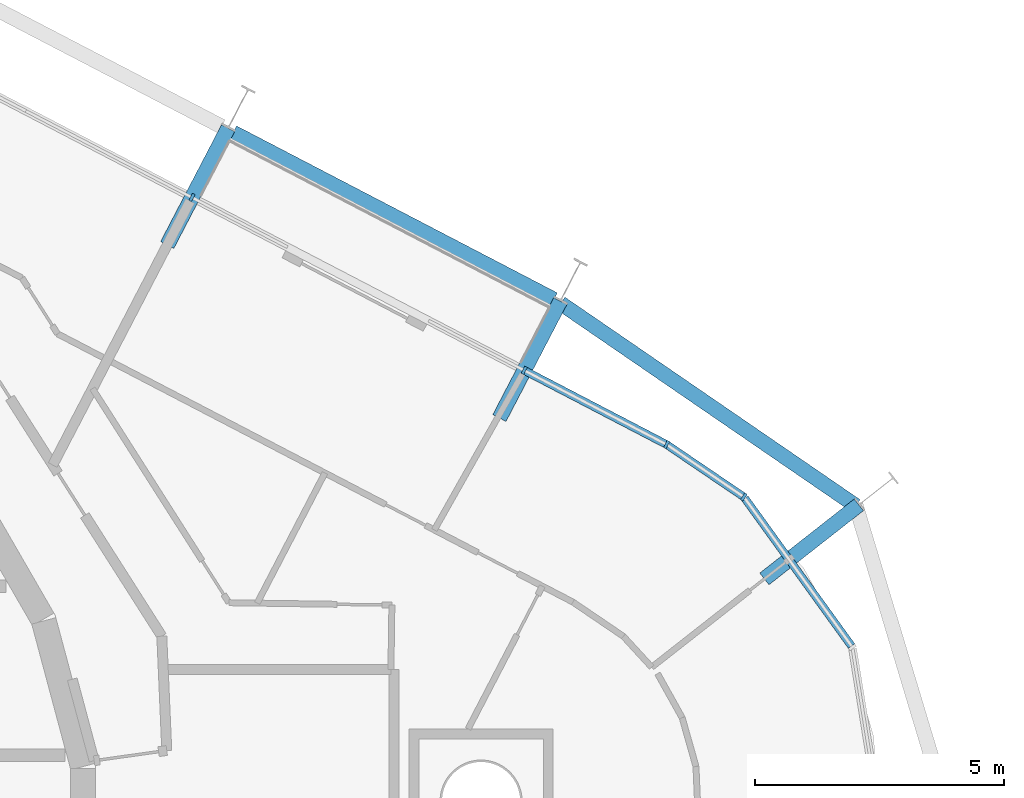
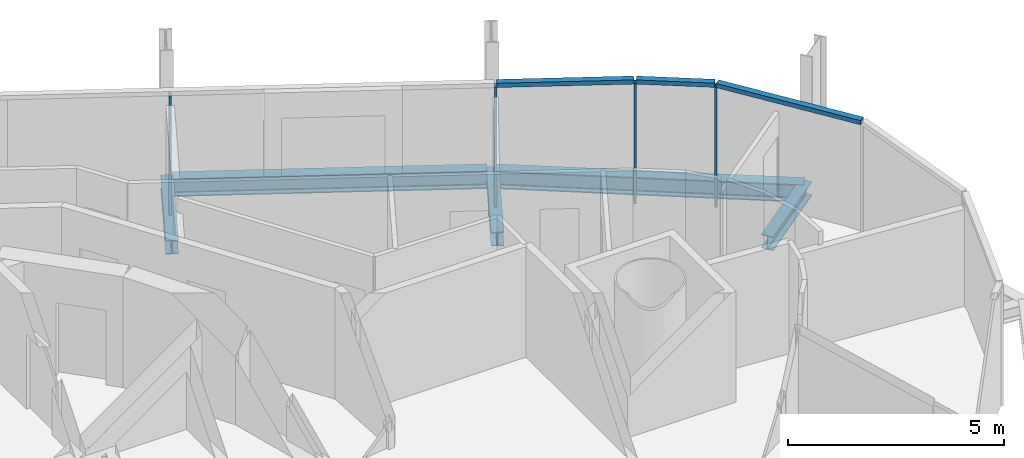
# One storey, part 9 of 17: 7 members, 5 beams, 2 elements without a shape of their own.
"""IFC4 building model written with IfcOpenShell, lengths in metres."""

from ifc_helpers import new_model, si_unit, direction, frame, origin, origin_2d, place, context, subcontext, project, spatial, rectangle, i_section, extrude, material, layer, layer_set, material_profile, profile_set, type_object, element, aggregate, save


model = new_model("IFC4")

# Units and contexts
model_context = context("Model", 3, precision=1e-05, world=origin(), true_north=direction((0.0, 1.0)))
body_context = subcontext(model_context, "Body", "Model", "MODEL_VIEW")
ifc_project = project(units=[si_unit("LENGTHUNIT", "METRE"), si_unit("AREAUNIT", "SQUARE_METRE"), si_unit("VOLUMEUNIT", "CUBIC_METRE"), si_unit("PLANEANGLEUNIT", "RADIAN"), si_unit("MASSUNIT", "GRAM", prefix="KILO")], contexts=[model_context])

# Site, building, storey
site_placement = place(None, origin())
site = spatial("IfcSite", under=ifc_project, at=site_placement, CompositionType="ELEMENT")
building_placement = place(site_placement, origin())
building = spatial("IfcBuilding", under=site, at=building_placement, Name="Spindle Arch Residences", CompositionType="ELEMENT")
storey_placement = place(building_placement, frame((0.0, 0.0, 244.199951171875)))
storey = spatial("IfcBuildingStorey", under=building, at=storey_placement, Name="L62", CompositionType="ELEMENT", Elevation=244.199951171875)

# Curtain wall, members
ifc_material_1 = material(Name="Aluminium bronze unitised frame with tinted glass", Category="aluminium")
ifc_layer_1 = layer(ifc_material_1, 0.159912109375)
ifc_layer_set_1 = layer_set([ifc_layer_1], Name="CW-D corner wall on the fillet arcs")
curtain_wall_type_1 = type_object("IfcCurtainWallType", Name="CW-D corner wall on the fillet arcs", PredefinedType="NOTDEFINED", material=ifc_layer_set_1)
curtain_wall_1_placement = place(storey_placement, origin())
curtain_wall_1 = element("IfcCurtainWall", 1, at=curtain_wall_1_placement, inside=storey, type_object=curtain_wall_type_1, Name="CW-D L62 run 1", PredefinedType="NOTDEFINED")
ifc_material_2 = material(Name="Aluminium bronze anodised mullion", Category="aluminium")
ifc_material_profile_1 = material_profile(ifc_material_2, rectangle(XDim=0.159912109375, YDim=0.06005859375, at=origin_2d()), Name="MU 60x160")
ifc_profile_set_1 = profile_set([ifc_material_profile_1], Name="Aluminium bronze anodised mullion")
member_type_1 = type_object("IfcMemberType", Name="Bronze mullion 60x160", PredefinedType="MULLION", material=ifc_profile_set_1)
member_1_placement = place(storey_placement, frame((24.93310546875, 6.971435546875, -0.3798828125), z_axis=(0.0, 0.0, 1.0), x_axis=(-0.561602105546, -0.827407441981, 0.0)))
member_1 = element("IfcMember", 2, at=member_1_placement, type_object=member_type_1, Name="CW-D mullion 05", PredefinedType="MULLION", context=body_context, shape_type="SweptSolid", body=[
    extrude(rectangle(XDim=0.159912109375, YDim=0.06005859375, at=origin_2d()), origin(), (0.0, 0.0, 1.0), 3.3798828125),
])
member_2_placement = place(storey_placement, frame((23.380859375, 8.02490234375, -0.3798828125), z_axis=(0.0, 0.0, 1.0), x_axis=(-0.461748613235, -0.887010833178, 0.0)))
member_2 = element("IfcMember", 3, at=member_2_placement, type_object=member_type_1, Name="CW-D mullion 06", PredefinedType="MULLION", context=body_context, shape_type="SweptSolid", body=[
    extrude(rectangle(XDim=0.159912109375, YDim=0.06005859375, at=origin_2d()), origin(), (0.0, 0.0, 1.0), 3.3798828125),
])

ifc_material_3 = material(Name="Aluminium bronze unitised frame with tinted glass", Category="aluminium")
ifc_layer_2 = layer(ifc_material_3, 0.159912109375)
ifc_layer_set_2 = layer_set([ifc_layer_2], Name="CW-C typical residential unitised wall")
curtain_wall_type_2 = type_object("IfcCurtainWallType", Name="CW-C typical residential unitised wall", PredefinedType="NOTDEFINED", material=ifc_layer_set_2)
curtain_wall_2_placement = place(storey_placement, origin())
curtain_wall_2 = element("IfcCurtainWall", 4, at=curtain_wall_2_placement, inside=storey, type_object=curtain_wall_type_2, Name="CW-C L62 run 2", PredefinedType="NOTDEFINED")
member_3_placement = place(storey_placement, frame((20.517333984375, 9.515625, -0.3798828125), z_axis=(0.0, 0.0, 1.0), x_axis=(-0.461748613235, -0.887010833178, 0.0)))
member_3 = element("IfcMember", 5, at=member_3_placement, type_object=member_type_1, Name="CW-C mullion 05", PredefinedType="MULLION", context=body_context, shape_type="SweptSolid", body=[
    extrude(rectangle(XDim=0.159912109375, YDim=0.06005859375, at=origin_2d()), origin(), (0.0, 0.0, 1.0), 3.3798828125),
])
member_4_placement = place(storey_placement, frame((13.837890625, 12.99267578125, -0.3798828125), z_axis=(0.0, 0.0, 1.0), x_axis=(-0.461748613235, -0.887010833178, 0.0)))
member_4 = element("IfcMember", 6, at=member_4_placement, type_object=member_type_1, Name="CW-C mullion 06", PredefinedType="MULLION", context=body_context, shape_type="SweptSolid", body=[
    extrude(rectangle(XDim=0.159912109375, YDim=0.06005859375, at=origin_2d()), origin(), (0.0, 0.0, 1.0), 3.3798828125),
])
aggregate(curtain_wall_2, [member_3, member_4])

# Member
ifc_material_4 = material(Name="Aluminium bronze anodised transom", Category="aluminium")
ifc_material_profile_2 = material_profile(ifc_material_4, rectangle(XDim=0.159912109375, YDim=0.1201171875, at=origin_2d()), Name="TR 120x160")
ifc_profile_set_2 = profile_set([ifc_material_profile_2], Name="Aluminium bronze anodised transom")
member_type_2 = type_object("IfcMemberType", Name="Bronze transom 120x160", PredefinedType="USERDEFINED", material=ifc_profile_set_2)
member_5_placement = place(storey_placement, frame((27.097412109375, 3.974365234375, 3.06005859375), z_axis=(-0.585456519469, 0.810703807695, 0.0), x_axis=(-0.810703807695, -0.585456519469, 0.0)))
member_5 = element("IfcMember", 7, at=member_5_placement, type_object=member_type_2, Name="CW-D transom 04", ObjectType="TRANSOM", PredefinedType="USERDEFINED", context=body_context, shape_type="SweptSolid", body=[
    extrude(rectangle(XDim=0.159912109375, YDim=0.1201171875, at=origin_2d()), origin(), (0.0, 0.0, 1.0), 3.666748046875),
])

member_6_placement = place(storey_placement, frame((24.908447265625, 6.98828125, 3.06005859375), z_axis=(-0.827451234698, 0.561537580396, 0.0), x_axis=(-0.561537580396, -0.827451234698, 0.0)))
member_6 = element("IfcMember", 8, at=member_6_placement, type_object=member_type_2, Name="CW-D transom 05", ObjectType="TRANSOM", PredefinedType="USERDEFINED", context=body_context, shape_type="SweptSolid", body=[
    extrude(rectangle(XDim=0.159912109375, YDim=0.1201171875, at=origin_2d()), origin(), (0.0, 0.0, 1.0), 1.816162109375),
])

member_7_placement = place(storey_placement, frame((23.354248046875, 8.038818359375, 3.06005859375), z_axis=(-0.886987077292, 0.461794245002, 0.0), x_axis=(-0.461794245002, -0.886987077292, 0.0)))
member_7 = element("IfcMember", 9, at=member_7_placement, type_object=member_type_2, Name="CW-D transom 06", ObjectType="TRANSOM", PredefinedType="USERDEFINED", context=body_context, shape_type="SweptSolid", body=[
    extrude(rectangle(XDim=0.159912109375, YDim=0.1201171875, at=origin_2d()), origin(), (0.0, 0.0, 1.0), 3.16845703125),
])

aggregate(curtain_wall_1, [member_5, member_1, member_6, member_2, member_7])

# Beams
ifc_material_5 = material(Name="Steel S460ML, intumescent coating R 120", Category="steel")
ifc_material_profile_3 = material_profile(ifc_material_5, i_section(OverallWidth=0.300048828125, OverallDepth=0.5, WebThickness=0.014404296875, FlangeThickness=0.028076171875, FilletRadius=0.027099609375, at=origin_2d()), Name="HEB 500")
ifc_profile_set_3 = profile_set([ifc_material_profile_3], Name="Steel S460ML, intumescent coating R 120")
beam_type_1 = type_object("IfcBeamType", Name="Exoskeleton edge beam HEB 500", PredefinedType="BEAM", material=ifc_profile_set_3)
beam_1_placement = place(storey_placement, frame((27.1845703125, 6.7939453125, -0.6298828125), z_axis=(-0.82461761875, 0.565690536289, 0.0), x_axis=(-0.565690536289, -0.82461761875, 0.0)))
element("IfcBeam", 10, at=beam_1_placement, inside=storey, type_object=beam_type_1, Name="Exoskeleton edge beam 5", PredefinedType="BEAM", context=body_context, shape_type="SweptSolid", body=[
    extrude(i_section(OverallWidth=0.300048828125, OverallDepth=0.5, WebThickness=0.014404296875, FlangeThickness=0.028076171875, FilletRadius=0.027099609375, at=origin_2d()), origin(), (0.0, 0.0, 1.0), 7.196044921875),
])
beam_2_placement = place(storey_placement, frame((21.113037109375, 10.94189453125, -0.6298828125), z_axis=(-0.887028136443, 0.461715372452, 0.0), x_axis=(-0.461715372452, -0.887028136443, 0.0)))
element("IfcBeam", 11, at=beam_2_placement, inside=storey, type_object=beam_type_1, Name="Exoskeleton edge beam 6", PredefinedType="BEAM", context=body_context, shape_type="SweptSolid", body=[
    extrude(i_section(OverallWidth=0.300048828125, OverallDepth=0.5, WebThickness=0.014404296875, FlangeThickness=0.028076171875, FilletRadius=0.027099609375, at=origin_2d()), origin(), (0.0, 0.0, 1.0), 7.27001953125),
])
ifc_material_6 = material(Name="Steel S460ML, intumescent coating R 120", Category="steel")
ifc_material_profile_4 = material_profile(ifc_material_6, i_section(OverallWidth=0.300048828125, OverallDepth=0.389892578125, WebThickness=0.010986328125, FlangeThickness=0.01904296875, FilletRadius=0.027099609375, at=origin_2d()), Name="HEA 400")
ifc_profile_set_4 = profile_set([ifc_material_profile_4], Name="Steel S460ML, intumescent coating R 120")
beam_type_2 = type_object("IfcBeamType", Name="Floor outrigger HEA 400", PredefinedType="BEAM", material=ifc_profile_set_4)
beam_3_placement = place(storey_placement, frame((27.244140625, 6.81201171875, -0.574951171875), z_axis=(-0.786970935565, -0.616990070079, 0.0), x_axis=(0.616990070079, -0.786970935565, 0.0)))
element("IfcBeam", 12, at=beam_3_placement, inside=storey, type_object=beam_type_2, Name="Floor outrigger 5", PredefinedType="BEAM", context=body_context, shape_type="SweptSolid", body=[
    extrude(i_section(OverallWidth=0.300048828125, OverallDepth=0.389892578125, WebThickness=0.010986328125, FlangeThickness=0.01904296875, FilletRadius=0.027099609375, at=origin_2d()), origin(), (0.0, 0.0, 1.0), 2.412841796875),
])
for number, where, z_axis, x_axis, name in (
    (13, (21.2421875, 10.908203125, -0.574951171875), (-0.461784931359, -0.886991926215, 0.0), (0.886991926215, -0.461784931359, 0.0), "Floor outrigger 6"),
    (14, (14.56298828125, 14.38525390625, -0.574951171875), (-0.461784931359, -0.886991926215, 0.0), (0.886991926215, -0.461784931359, 0.0), "Floor outrigger 7"),
):
    element("IfcBeam", number, at=place(storey_placement, frame(where, z_axis=z_axis, x_axis=x_axis)), inside=storey, type_object=beam_type_2, Name=name, PredefinedType="BEAM", context=body_context, shape_type="SweptSolid", body=[
        extrude(i_section(OverallWidth=0.300048828125, OverallDepth=0.389892578125, WebThickness=0.010986328125, FlangeThickness=0.01904296875, FilletRadius=0.027099609375, at=origin_2d()), origin(), (0.0, 0.0, 1.0), 2.64990234375),
    ])

save(model, "model.ifc")
